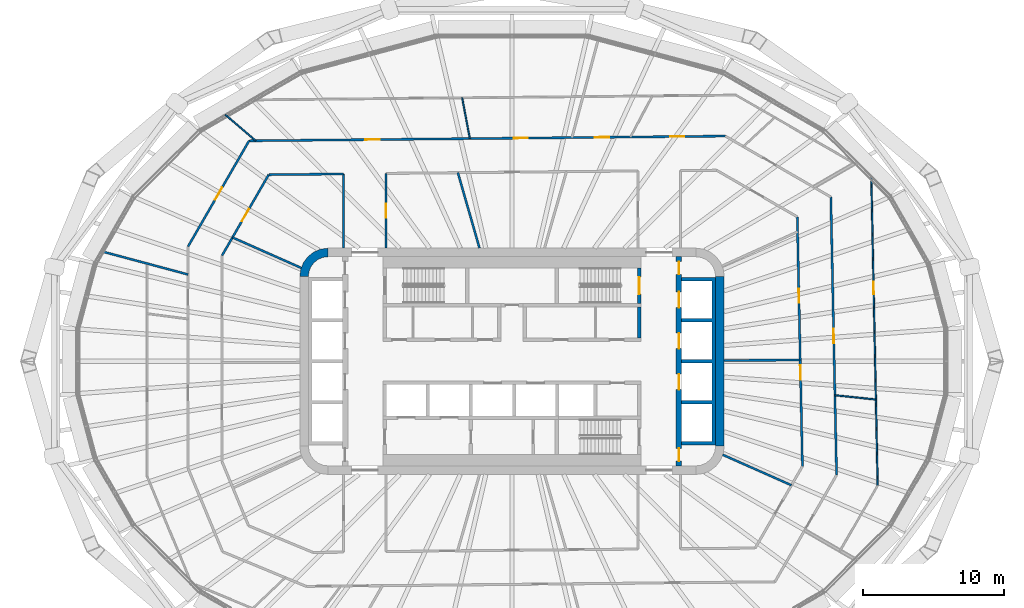
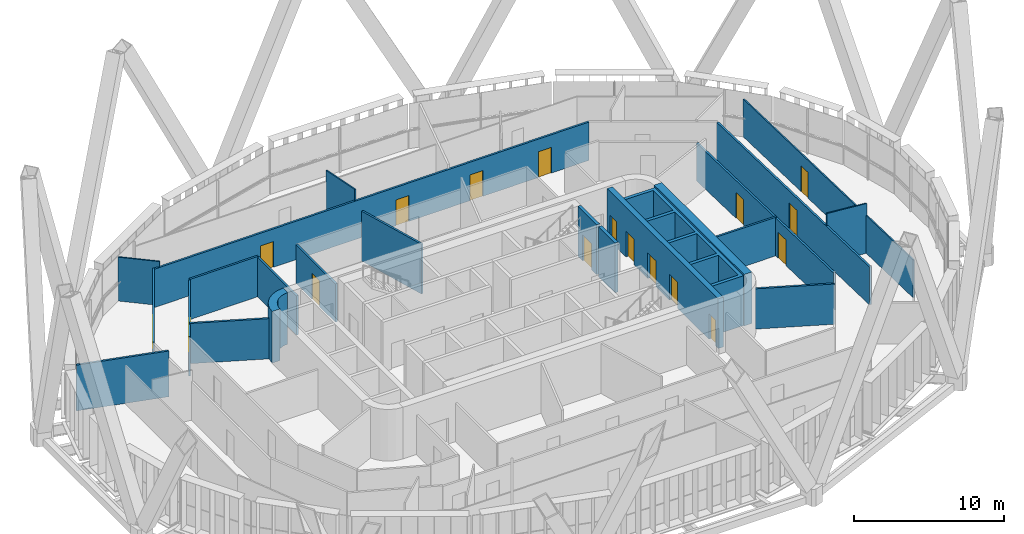
# One storey, part 16 of 25: 23 walls, 17 doors, 17 openings.
"""IFC4 building model written with IfcOpenShell, lengths in metres."""

from ifc_helpers import new_model, si_unit, direction, frame, frame_2d, origin, place, context, subcontext, project, spatial, polyline, rectangle, outline, extrude, material, layer, layer_set, type_object, element, fill, save


model = new_model("IFC4")

# Units and contexts
model_context = context("Model", 3, precision=1e-05, world=origin(), true_north=direction((0.0, 1.0)))
body_context = subcontext(model_context, "Body", "Model", "MODEL_VIEW")
ifc_project = project(units=[si_unit("LENGTHUNIT", "METRE"), si_unit("AREAUNIT", "SQUARE_METRE"), si_unit("VOLUMEUNIT", "CUBIC_METRE"), si_unit("PLANEANGLEUNIT", "RADIAN"), si_unit("MASSUNIT", "GRAM", prefix="KILO")], contexts=[model_context])

# Site, building, storey
site_placement = place(None, origin())
site = spatial("IfcSite", under=ifc_project, at=site_placement, CompositionType="ELEMENT")
building_placement = place(site_placement, origin())
building = spatial("IfcBuilding", under=site, at=building_placement, Name="Sahrelin Media Tower", CompositionType="ELEMENT")
storey_placement = place(building_placement, frame((0.0, 0.0, 63.0)))
storey = spatial("IfcBuildingStorey", under=building, at=storey_placement, Name="L10", CompositionType="ELEMENT", Elevation=63.0)

# Walls
ifc_material_1 = material(Name="Concrete C60/75", Category="concrete")
ifc_layer_1 = layer(ifc_material_1, 0.60009765625)
ifc_layer_set_1 = layer_set([ifc_layer_1], Name="Core wall 600")
wall_type_1 = type_object("IfcWallType", Name="Core wall 600", PredefinedType="SHEAR", material=ifc_layer_set_1)
wall_1_placement = place(storey_placement, frame((14.699951171875, -6.0, 0.0), z_axis=(0.0, 0.0, 1.0), x_axis=(0.0, 1.0, 0.0)))
element("IfcWall", 1, at=wall_1_placement, inside=storey, type_object=wall_type_1, Name="Core wall E L10", PredefinedType="SHEAR", context=body_context, shape_type="SweptSolid", body=[
    extrude(rectangle(XDim=12.0, YDim=0.60009765625, at=frame_2d((6.0, 0.0))), origin(), (0.0, 0.0, 1.0), 4.199951171875),
])
placement = place(storey_placement, origin())
element("IfcWall", 2, at=placement, inside=storey, type_object=wall_type_1, Name="Core wall corner NW L10", PredefinedType="SHEAR", context=body_context, shape_type="SweptSolid", body=[
    extrude(outline(polyline([(-15.0, 6.0), (-14.394775390625, 6.0), (-14.347412109375, 6.361083984375), (-14.2080078125, 6.697509765625), (-13.986328125, 6.986328125), (-13.697509765625, 7.2080078125), (-13.361083984375, 7.347412109375), (-13.0, 7.394775390625), (-13.0, 8.0), (-13.517578125, 7.931884765625), (-14.0, 7.732177734375), (-14.414306640625, 7.414306640625), (-14.732177734375, 7.0), (-14.931884765625, 6.517578125), (-15.0, 6.0)])), origin(), (0.0, 0.0, 1.0), 4.199951171875),
])
ifc_material_2 = material(Name="Fire-rated gypsum board partition")
ifc_layer_2 = layer(ifc_material_2, 0.25)
ifc_layer_set_2 = layer_set([ifc_layer_2], Name="Fire-rated lobby wall 250")
wall_type_2 = type_object("IfcWallType", Name="Fire-rated lobby wall 250", PredefinedType="PARTITIONING", material=ifc_layer_set_2)
wall_3_placement = place(storey_placement, frame((9.0, 1.64990234375, 0.0), z_axis=(0.0, 0.0, 1.0), x_axis=(0.0, 1.0, 0.0)))
element("IfcWall", 3, at=wall_3_placement, inside=storey, type_object=wall_type_2, Name="Core lobby wall", PredefinedType="PARTITIONING", context=body_context, shape_type="SweptSolid", body=[
    extrude(rectangle(XDim=2.2001953125, YDim=0.25, at=frame_2d((1.10009765625, 0.0))), origin(), (0.0, 0.0, 1.0), 4.050048828125),
])

# Wall, openings, doors
ifc_layer_3 = layer(ifc_material_2, 0.14990234375)
ifc_layer_set_3 = layer_set([ifc_layer_3], Name="Fire-rated partition 150")
wall_type_3 = type_object("IfcWallType", Name="Fire-rated partition 150", PredefinedType="PARTITIONING", material=ifc_layer_set_3)
wall_4_placement = place(storey_placement, frame((20.1669921875, 10.212890625, 0.0), z_axis=(0.0, 0.0, 1.0), x_axis=(0.020624730832, -0.999787287616, 0.0)))
wall_4 = element("IfcWall", 4, at=wall_4_placement, inside=storey, type_object=wall_type_3, Name="Wall", PredefinedType="PARTITIONING", context=body_context, shape_type="SweptSolid", body=[
    extrude(rectangle(XDim=17.637451171875, YDim=0.14990234375, at=frame_2d((8.81884765625, 0.0))), origin(), (0.0, 0.0, 1.0), 3.076904296875),
])
opening_1_placement = place(wall_4_placement, frame((10.507568359375, 0.0, 0.0)))
opening_1 = element("IfcOpeningElement", 5, at=opening_1_placement, cuts=wall_4, Name="Opening L10-D26", PredefinedType="OPENING", context=body_context, shape_type="SweptSolid", body=[
    extrude(rectangle(XDim=1.0, YDim=2.10009765625, at=frame_2d((0.5, 1.050048828125))), frame((0.0, 0.074951171875, 0.0), z_axis=(0.0, -1.0, 0.0), x_axis=(1.0, 0.0, 0.0)), (0.0, 0.0, 1.0), 0.14990234375),
])
opening_2_placement = place(wall_4_placement, frame((5.089111328125, 0.0, 0.0)))
opening_2 = element("IfcOpeningElement", 6, at=opening_2_placement, cuts=wall_4, Name="Opening L10-D27", PredefinedType="OPENING", context=body_context, shape_type="SweptSolid", body=[
    extrude(rectangle(XDim=1.0, YDim=2.10009765625, at=frame_2d((0.5, 1.050048828125))), frame((0.0, 0.074951171875, 0.0), z_axis=(0.0, -1.0, 0.0), x_axis=(1.0, 0.0, 0.0)), (0.0, 0.0, 1.0), 0.14990234375),
])
ifc_material_3 = material(Name="Steel fire door leaf", Category="steel")
door_type_1 = type_object("IfcDoorType", Name="Fire door 1000 x 2100 EI 60", OperationType="NOTDEFINED", PredefinedType="DOOR", material=ifc_material_3)
door_1_placement = place(opening_1_placement, origin())
door_1 = element("IfcDoor", 7, at=door_1_placement, inside=storey, type_object=door_type_1, Name="Fire door", OperationType="SINGLE_SWING_RIGHT", OverallHeight=2.10009765625, OverallWidth=1.0, PredefinedType="DOOR", context=body_context, shape_type="SweptSolid", body=[
    extrude(rectangle(XDim=1.0, YDim=2.10009765625, at=frame_2d((0.5, 1.050048828125))), frame((0.0, 0.02490234375, 0.0), z_axis=(0.0, -1.0, 0.0), x_axis=(1.0, 0.0, 0.0)), (0.0, 0.0, 1.0), 0.050048828125),
])
fill(opening_1, door_1)
door_2_placement = place(opening_2_placement, origin())
door_2 = element("IfcDoor", 8, at=door_2_placement, inside=storey, type_object=door_type_1, Name="Fire door", OperationType="SINGLE_SWING_LEFT", OverallHeight=2.10009765625, OverallWidth=1.0, PredefinedType="DOOR", context=body_context, shape_type="SweptSolid", body=[
    extrude(rectangle(XDim=1.0, YDim=2.10009765625, at=frame_2d((0.5, 1.050048828125))), frame((0.0, 0.02490234375, 0.0), z_axis=(0.0, -1.0, 0.0), x_axis=(1.0, 0.0, 0.0)), (0.0, 0.0, 1.0), 0.050048828125),
])
fill(opening_2, door_2)

# Wall, opening, door
wall_5_placement = place(storey_placement, frame((22.5390625, 11.614990234375, 0.0), z_axis=(0.0, 0.0, 1.0), x_axis=(0.020626332176, -0.99978725458, 0.0)))
wall_5 = element("IfcWall", 9, at=wall_5_placement, inside=storey, type_object=wall_type_3, Name="Wall", PredefinedType="PARTITIONING", context=body_context, shape_type="SweptSolid", body=[
    extrude(rectangle(XDim=19.66015625, YDim=0.14990234375, at=frame_2d((9.830078125, 0.0))), origin(), (0.0, 0.0, 1.0), 3.076904296875),
])
opening_3_placement = place(wall_5_placement, frame((9.329833984375, 0.0, 0.0)))
opening_3 = element("IfcOpeningElement", 10, at=opening_3_placement, cuts=wall_5, Name="Opening L10-D50", PredefinedType="OPENING", context=body_context, shape_type="SweptSolid", body=[
    extrude(rectangle(XDim=1.0, YDim=2.10009765625, at=frame_2d((0.5, 1.050048828125))), frame((0.0, 0.074951171875, 0.0), z_axis=(0.0, -1.0, 0.0), x_axis=(1.0, 0.0, 0.0)), (0.0, 0.0, 1.0), 0.14990234375),
])
door_3_placement = place(opening_3_placement, origin())
door_3 = element("IfcDoor", 11, at=door_3_placement, inside=storey, type_object=door_type_1, Name="Fire door", OperationType="SINGLE_SWING_LEFT", OverallHeight=2.10009765625, OverallWidth=1.0, PredefinedType="DOOR", context=body_context, shape_type="SweptSolid", body=[
    extrude(rectangle(XDim=1.0, YDim=2.10009765625, at=frame_2d((0.5, 1.050048828125))), frame((0.0, 0.02490234375, 0.0), z_axis=(0.0, -1.0, 0.0), x_axis=(1.0, 0.0, 0.0)), (0.0, 0.0, 1.0), 0.050048828125),
])
fill(opening_3, door_3)

# Walls
wall_6_placement = place(storey_placement, frame((-3.826904296875, 13.3330078125, 0.0), z_axis=(0.0, 0.0, 1.0), x_axis=(0.275935525478, -0.961176147113, 0.0)))
element("IfcWall", 12, at=wall_6_placement, inside=storey, type_object=wall_type_3, Name="Wall", PredefinedType="PARTITIONING", context=body_context, shape_type="SweptSolid", body=[
    extrude(rectangle(XDim=5.54833984375, YDim=0.14990234375, at=frame_2d((2.774169921875, 0.0))), origin(), (0.0, 0.0, 1.0), 4.050048828125),
])
wall_7_placement = place(storey_placement, frame((-19.760009765625, 8.7548828125, 0.0), z_axis=(0.0, 0.0, 1.0), x_axis=(0.91424834547, -0.405154245695, 0.0)))
element("IfcWall", 13, at=wall_7_placement, inside=storey, type_object=wall_type_3, Name="Wall", PredefinedType="PARTITIONING", context=body_context, shape_type="SweptSolid", body=[
    extrude(rectangle(XDim=5.31787109375, YDim=0.14990234375, at=frame_2d((2.658935546875, 0.0))), origin(), (0.0, 0.0, 1.0), 3.27587890625),
])
wall_8_placement = place(storey_placement, frame((14.89501953125, -6.60693359375, 0.0), z_axis=(0.0, 0.0, 1.0), x_axis=(0.914233271379, -0.405188259337, 0.0)))
element("IfcWall", 14, at=wall_8_placement, inside=storey, type_object=wall_type_3, Name="Wall", PredefinedType="PARTITIONING", context=body_context, shape_type="SweptSolid", body=[
    extrude(rectangle(XDim=5.3173828125, YDim=0.14990234375, at=frame_2d((2.65869140625, 0.0))), origin(), (0.0, 0.0, 1.0), 3.27587890625),
])
wall_9_placement = place(storey_placement, frame((-29.054931640625, 7.784912109375, 0.0), z_axis=(0.0, 0.0, 1.0), x_axis=(0.965937962099, -0.258773749396, 0.0)))
element("IfcWall", 15, at=wall_9_placement, inside=storey, type_object=wall_type_3, Name="Wall", PredefinedType="PARTITIONING", context=body_context, shape_type="SweptSolid", body=[
    extrude(rectangle(XDim=6.3720703125, YDim=0.14990234375, at=frame_2d((3.18603515625, 0.0))), origin(), (0.0, 0.0, 1.0), 3.7265625),
])
wall_10_placement = place(storey_placement, frame((15.0, 0.06298828125, 0.0), z_axis=(0.0, 0.0, 1.0), x_axis=(0.999990294223, 0.004405843865, 0.0)))
element("IfcWall", 16, at=wall_10_placement, inside=storey, type_object=wall_type_3, Name="Wall", PredefinedType="PARTITIONING", context=body_context, shape_type="SweptSolid", body=[
    extrude(rectangle(XDim=5.375, YDim=0.14990234375, at=frame_2d((2.6875, 0.0))), origin(), (0.0, 0.0, 1.0), 3.14501953125),
])
wall_11_placement = place(storey_placement, frame((-17.194091796875, 13.19091796875, 0.0), z_axis=(0.0, 0.0, 1.0), x_axis=(0.999950394899, 0.009960308291, 0.0)))
element("IfcWall", 17, at=wall_11_placement, inside=storey, type_object=wall_type_3, Name="Wall", PredefinedType="PARTITIONING", context=body_context, shape_type="SweptSolid", body=[
    extrude(rectangle(XDim=5.29443359375, YDim=0.14990234375, at=frame_2d((2.647216796875, 0.0))), origin(), (0.0, 0.0, 1.0), 3.27587890625),
])

# Wall, openings, doors
wall_12_placement = place(storey_placement, frame((-18.5869140625, 15.5869140625, 0.0), z_axis=(0.0, 0.0, 1.0), x_axis=(0.99995065417, 0.009934245078, 0.0)))
wall_12 = element("IfcWall", 18, at=wall_12_placement, inside=storey, type_object=wall_type_3, Name="Wall", PredefinedType="PARTITIONING", context=body_context, shape_type="SweptSolid", body=[
    extrude(rectangle(XDim=33.668701171875, YDim=0.14990234375, at=frame_2d((16.83447265625, 0.0))), origin(), (0.0, 0.0, 1.0), 3.126953125),
])
opening_4_placement = place(wall_12_placement, frame((18.7158203125, 0.0, 0.0)))
opening_4 = element("IfcOpeningElement", 19, at=opening_4_placement, cuts=wall_12, Name="Opening L10-D36", PredefinedType="OPENING", context=body_context, shape_type="SweptSolid", body=[
    extrude(rectangle(XDim=1.0, YDim=2.10009765625, at=frame_2d((0.5, 1.050048828125))), frame((0.0, 0.074951171875, 0.0), z_axis=(0.0, -1.0, 0.0), x_axis=(1.0, 0.0, 0.0)), (0.0, 0.0, 1.0), 0.14990234375),
])
opening_5_placement = place(wall_12_placement, frame((8.22802734375, 0.0, 0.0)))
opening_5 = element("IfcOpeningElement", 20, at=opening_5_placement, cuts=wall_12, Name="Opening L10-D37", PredefinedType="OPENING", context=body_context, shape_type="SweptSolid", body=[
    extrude(rectangle(XDim=1.0, YDim=2.10009765625, at=frame_2d((0.5, 1.050048828125))), frame((0.0, 0.074951171875, 0.0), z_axis=(0.0, -1.0, 0.0), x_axis=(1.0, 0.0, 0.0)), (0.0, 0.0, 1.0), 0.14990234375),
])
opening_6_placement = place(wall_12_placement, frame((29.767822265625, 0.0, 0.0)))
opening_6 = element("IfcOpeningElement", 21, at=opening_6_placement, cuts=wall_12, Name="Opening L10-D53", PredefinedType="OPENING", context=body_context, shape_type="SweptSolid", body=[
    extrude(rectangle(XDim=1.0, YDim=2.10009765625, at=frame_2d((0.5, 1.050048828125))), frame((0.0, 0.074951171875, 0.0), z_axis=(0.0, -1.0, 0.0), x_axis=(1.0, 0.0, 0.0)), (0.0, 0.0, 1.0), 0.14990234375),
])
opening_7_placement = place(wall_12_placement, frame((24.44873046875, 0.0, 0.0)))
opening_7 = element("IfcOpeningElement", 22, at=opening_7_placement, cuts=wall_12, Name="Opening L10-D54", PredefinedType="OPENING", context=body_context, shape_type="SweptSolid", body=[
    extrude(rectangle(XDim=1.0, YDim=2.10009765625, at=frame_2d((0.5, 1.050048828125))), frame((0.0, 0.074951171875, 0.0), z_axis=(0.0, -1.0, 0.0), x_axis=(1.0, 0.0, 0.0)), (0.0, 0.0, 1.0), 0.14990234375),
])
door_4_placement = place(opening_4_placement, origin())
door_4 = element("IfcDoor", 23, at=door_4_placement, inside=storey, type_object=door_type_1, Name="Fire door", OperationType="SINGLE_SWING_RIGHT", OverallHeight=2.10009765625, OverallWidth=1.0, PredefinedType="DOOR", context=body_context, shape_type="SweptSolid", body=[
    extrude(rectangle(XDim=1.0, YDim=2.10009765625, at=frame_2d((0.5, 1.050048828125))), frame((0.0, 0.02490234375, 0.0), z_axis=(0.0, -1.0, 0.0), x_axis=(1.0, 0.0, 0.0)), (0.0, 0.0, 1.0), 0.050048828125),
])
fill(opening_4, door_4)
door_5_placement = place(opening_5_placement, origin())
door_5 = element("IfcDoor", 24, at=door_5_placement, inside=storey, type_object=door_type_1, Name="Fire door", OperationType="SINGLE_SWING_RIGHT", OverallHeight=2.10009765625, OverallWidth=1.0, PredefinedType="DOOR", context=body_context, shape_type="SweptSolid", body=[
    extrude(rectangle(XDim=1.0, YDim=2.10009765625, at=frame_2d((0.5, 1.050048828125))), frame((0.0, 0.02490234375, 0.0), z_axis=(0.0, -1.0, 0.0), x_axis=(1.0, 0.0, 0.0)), (0.0, 0.0, 1.0), 0.050048828125),
])
fill(opening_5, door_5)
door_6_placement = place(opening_6_placement, origin())
door_6 = element("IfcDoor", 25, at=door_6_placement, inside=storey, type_object=door_type_1, Name="Fire door", OperationType="SINGLE_SWING_LEFT", OverallHeight=2.10009765625, OverallWidth=1.0, PredefinedType="DOOR", context=body_context, shape_type="SweptSolid", body=[
    extrude(rectangle(XDim=1.0, YDim=2.10009765625, at=frame_2d((0.5, 1.050048828125))), frame((0.0, 0.02490234375, 0.0), z_axis=(0.0, -1.0, 0.0), x_axis=(1.0, 0.0, 0.0)), (0.0, 0.0, 1.0), 0.050048828125),
])
fill(opening_6, door_6)
door_7_placement = place(opening_7_placement, origin())
door_7 = element("IfcDoor", 26, at=door_7_placement, inside=storey, type_object=door_type_1, Name="Fire door", OperationType="SINGLE_SWING_RIGHT", OverallHeight=2.10009765625, OverallWidth=1.0, PredefinedType="DOOR", context=body_context, shape_type="SweptSolid", body=[
    extrude(rectangle(XDim=1.0, YDim=2.10009765625, at=frame_2d((0.5, 1.050048828125))), frame((0.0, 0.02490234375, 0.0), z_axis=(0.0, -1.0, 0.0), x_axis=(1.0, 0.0, 0.0)), (0.0, 0.0, 1.0), 0.050048828125),
])
fill(opening_7, door_7)

# Wall, opening, door
wall_13_placement = place(storey_placement, frame((-20.5, 7.47412109375, 0.0), z_axis=(0.0, 0.0, 1.0), x_axis=(0.500012665616, 0.866018091164, 0.0)))
wall_13 = element("IfcWall", 27, at=wall_13_placement, inside=storey, type_object=wall_type_3, Name="Wall", PredefinedType="PARTITIONING", context=body_context, shape_type="SweptSolid", body=[
    extrude(rectangle(XDim=6.602294921875, YDim=0.14990234375, at=frame_2d((3.30126953125, 0.0))), origin(), (0.0, 0.0, 1.0), 3.195068359375),
])
opening_8_placement = place(wall_13_placement, frame((2.802734375, 0.0, 0.0)))
opening_8 = element("IfcOpeningElement", 28, at=opening_8_placement, cuts=wall_13, Name="Opening L10-D32", PredefinedType="OPENING", context=body_context, shape_type="SweptSolid", body=[
    extrude(rectangle(XDim=1.0, YDim=2.10009765625, at=frame_2d((0.5, 1.050048828125))), frame((0.0, 0.074951171875, 0.0), z_axis=(0.0, -1.0, 0.0), x_axis=(1.0, 0.0, 0.0)), (0.0, 0.0, 1.0), 0.14990234375),
])
door_8_placement = place(opening_8_placement, origin())
door_8 = element("IfcDoor", 29, at=door_8_placement, inside=storey, type_object=door_type_1, Name="Fire door", OperationType="SINGLE_SWING_LEFT", OverallHeight=2.10009765625, OverallWidth=1.0, PredefinedType="DOOR", context=body_context, shape_type="SweptSolid", body=[
    extrude(rectangle(XDim=1.0, YDim=2.10009765625, at=frame_2d((0.5, 1.050048828125))), frame((0.0, 0.02490234375, 0.0), z_axis=(0.0, -1.0, 0.0), x_axis=(1.0, 0.0, 0.0)), (0.0, 0.0, 1.0), 0.050048828125),
])
fill(opening_8, door_8)

wall_14_placement = place(storey_placement, frame((-22.89990234375, 8.116943359375, 0.0), z_axis=(0.0, 0.0, 1.0), x_axis=(0.499983791763, 0.866034761412, 0.0)))
wall_14 = element("IfcWall", 30, at=wall_14_placement, inside=storey, type_object=wall_type_3, Name="Wall", PredefinedType="PARTITIONING", context=body_context, shape_type="SweptSolid", body=[
    extrude(rectangle(XDim=8.625732421875, YDim=0.14990234375, at=frame_2d((4.31298828125, 0.0))), origin(), (0.0, 0.0, 1.0), 3.195068359375),
])
opening_9_placement = place(wall_14_placement, frame((3.812255859375, 0.0, 0.0)))
opening_9 = element("IfcOpeningElement", 31, at=opening_9_placement, cuts=wall_14, Name="Opening L10-D38", PredefinedType="OPENING", context=body_context, shape_type="SweptSolid", body=[
    extrude(rectangle(XDim=1.0, YDim=2.10009765625, at=frame_2d((0.5, 1.050048828125))), frame((0.0, 0.074951171875, 0.0), z_axis=(0.0, -1.0, 0.0), x_axis=(1.0, 0.0, 0.0)), (0.0, 0.0, 1.0), 0.14990234375),
])
door_9_placement = place(opening_9_placement, origin())
door_9 = element("IfcDoor", 32, at=door_9_placement, inside=storey, type_object=door_type_1, Name="Fire door", OperationType="SINGLE_SWING_RIGHT", OverallHeight=2.10009765625, OverallWidth=1.0, PredefinedType="DOOR", context=body_context, shape_type="SweptSolid", body=[
    extrude(rectangle(XDim=1.0, YDim=2.10009765625, at=frame_2d((0.5, 1.050048828125))), frame((0.0, 0.02490234375, 0.0), z_axis=(0.0, -1.0, 0.0), x_axis=(1.0, 0.0, 0.0)), (0.0, 0.0, 1.0), 0.050048828125),
])
fill(opening_9, door_9)

wall_15_placement = place(storey_placement, frame((-8.89990234375, 8.0, 0.0), z_axis=(0.0, 0.0, 1.0), x_axis=(0.0, 1.0, 0.0)))
wall_15 = element("IfcWall", 33, at=wall_15_placement, inside=storey, type_object=wall_type_3, Name="Wall", PredefinedType="PARTITIONING", context=body_context, shape_type="SweptSolid", body=[
    extrude(rectangle(XDim=5.282958984375, YDim=0.14990234375, at=frame_2d((2.6416015625, 0.0))), origin(), (0.0, 0.0, 1.0), 3.126953125),
])
opening_10_placement = place(wall_15_placement, frame((2.1416015625, 0.0, 0.0)))
opening_10 = element("IfcOpeningElement", 34, at=opening_10_placement, cuts=wall_15, Name="Opening L10-D31", PredefinedType="OPENING", context=body_context, shape_type="SweptSolid", body=[
    extrude(rectangle(XDim=1.0, YDim=2.10009765625, at=frame_2d((0.5, 1.050048828125))), frame((0.0, 0.074951171875, 0.0), z_axis=(0.0, -1.0, 0.0), x_axis=(1.0, 0.0, 0.0)), (0.0, 0.0, 1.0), 0.14990234375),
])
door_10_placement = place(opening_10_placement, origin())
door_10 = element("IfcDoor", 35, at=door_10_placement, inside=storey, type_object=door_type_1, Name="Fire door", OperationType="SINGLE_SWING_RIGHT", OverallHeight=2.10009765625, OverallWidth=1.0, PredefinedType="DOOR", context=body_context, shape_type="SweptSolid", body=[
    extrude(rectangle(XDim=1.0, YDim=2.10009765625, at=frame_2d((0.5, 1.050048828125))), frame((0.0, 0.02490234375, 0.0), z_axis=(0.0, -1.0, 0.0), x_axis=(1.0, 0.0, 0.0)), (0.0, 0.0, 1.0), 0.050048828125),
])
fill(opening_10, door_10)

# Walls
wall_16_placement = place(storey_placement, frame((-11.89990234375, 8.0, 0.0), z_axis=(0.0, 0.0, 1.0), x_axis=(0.0, 1.0, 0.0)))
element("IfcWall", 36, at=wall_16_placement, inside=storey, type_object=wall_type_3, Name="Wall", PredefinedType="PARTITIONING", context=body_context, shape_type="SweptSolid", body=[
    extrude(rectangle(XDim=5.242919921875, YDim=0.14990234375, at=frame_2d((2.62158203125, 0.0))), origin(), (0.0, 0.0, 1.0), 3.195068359375),
])
ifc_layer_4 = layer(ifc_material_1, 0.25)
ifc_layer_set_4 = layer_set([ifc_layer_4], Name="Lift shaft wall 250")
wall_type_4 = type_object("IfcWallType", Name="Lift shaft wall 250", PredefinedType="SOLIDWALL", material=ifc_layer_set_4)
element("IfcWall", 37, at=placement, inside=storey, type_object=wall_type_4, Name="Lift shaft wall", PredefinedType="SOLIDWALL", context=body_context, shape_type="SweptSolid", body=[
    extrude(outline(polyline([(12.0, -5.675048828125), (12.0, -5.925048828125), (14.14990234375, -5.925048828125), (14.39990234375, -5.925048828125), (14.39990234375, -5.675048828125), (14.39990234375, -3.02490234375), (14.39990234375, -2.77490234375), (14.39990234375, -0.125), (14.39990234375, 0.125), (14.39990234375, 2.77490234375), (14.39990234375, 3.02490234375), (14.39990234375, 5.675048828125), (14.39990234375, 5.925048828125), (14.14990234375, 5.925048828125), (12.0, 5.925048828125), (12.0, 5.675048828125), (14.14990234375, 5.675048828125), (14.14990234375, 3.02490234375), (12.0, 3.02490234375), (12.0, 2.77490234375), (14.14990234375, 2.77490234375), (14.14990234375, 0.125), (12.0, 0.125), (12.0, -0.125), (14.14990234375, -0.125), (14.14990234375, -2.77490234375), (12.0, -2.77490234375), (12.0, -3.02490234375), (14.14990234375, -3.02490234375), (14.14990234375, -5.675048828125), (12.0, -5.675048828125)])), origin(), (0.0, 0.0, 1.0), 4.050048828125),
])

# Wall, openings, doors
ifc_layer_5 = layer(ifc_material_1, 0.39990234375)
ifc_layer_set_5 = layer_set([ifc_layer_5], Name="Lift shaft wall 400")
wall_type_5 = type_object("IfcWallType", Name="Lift shaft wall 400", PredefinedType="SOLIDWALL", material=ifc_layer_set_5)
wall_18_placement = place(storey_placement, frame((11.800048828125, -7.39990234375, 0.0), z_axis=(0.0, 0.0, 1.0), x_axis=(0.0, 1.0, 0.0)))
wall_18 = element("IfcWall", 38, at=wall_18_placement, inside=storey, type_object=wall_type_5, Name="Lift shaft wall", PredefinedType="SOLIDWALL", context=body_context, shape_type="SweptSolid", body=[
    extrude(rectangle(XDim=14.7998046875, YDim=0.39990234375, at=frame_2d((7.39990234375, 0.0))), origin(), (0.0, 0.0, 1.0), 4.050048828125),
])
opening_11_placement = place(wall_18_placement, frame((11.199951171875, 0.0, 0.0)))
opening_11 = element("IfcOpeningElement", 39, at=opening_11_placement, cuts=wall_18, Name="Opening L10-LD-LR4", PredefinedType="OPENING", context=body_context, shape_type="SweptSolid", body=[
    extrude(rectangle(XDim=1.10009765625, YDim=2.10009765625, at=frame_2d((0.550048828125, 1.050048828125))), frame((0.0, 0.199951171875, 0.0), z_axis=(0.0, -1.0, 0.0), x_axis=(1.0, 0.0, 0.0)), (0.0, 0.0, 1.0), 0.39990234375),
])
opening_12_placement = place(wall_18_placement, frame((8.300048828125, 0.0, 0.0)))
opening_12 = element("IfcOpeningElement", 40, at=opening_12_placement, cuts=wall_18, Name="Opening L10-LD-LR5", PredefinedType="OPENING", context=body_context, shape_type="SweptSolid", body=[
    extrude(rectangle(XDim=1.10009765625, YDim=2.10009765625, at=frame_2d((0.550048828125, 1.050048828125))), frame((0.0, 0.199951171875, 0.0), z_axis=(0.0, -1.0, 0.0), x_axis=(1.0, 0.0, 0.0)), (0.0, 0.0, 1.0), 0.39990234375),
])
opening_13_placement = place(wall_18_placement, frame((5.39990234375, 0.0, 0.0)))
opening_13 = element("IfcOpeningElement", 41, at=opening_13_placement, cuts=wall_18, Name="Opening L10-LD-LR6", PredefinedType="OPENING", context=body_context, shape_type="SweptSolid", body=[
    extrude(rectangle(XDim=1.10009765625, YDim=2.10009765625, at=frame_2d((0.550048828125, 1.050048828125))), frame((0.0, 0.199951171875, 0.0), z_axis=(0.0, -1.0, 0.0), x_axis=(1.0, 0.0, 0.0)), (0.0, 0.0, 1.0), 0.39990234375),
])
opening_14_placement = place(wall_18_placement, frame((13.552490234375, 0.0, 0.0)))
opening_14 = element("IfcOpeningElement", 42, at=opening_14_placement, cuts=wall_18, Name="Opening L10-D16", PredefinedType="OPENING", context=body_context, shape_type="SweptSolid", body=[
    extrude(rectangle(XDim=0.89990234375, YDim=2.10009765625, at=frame_2d((0.449951171875, 1.050048828125))), frame((0.0, 0.199951171875, 0.0), z_axis=(0.0, -1.0, 0.0), x_axis=(1.0, 0.0, 0.0)), (0.0, 0.0, 1.0), 0.39990234375),
])
opening_15_placement = place(wall_18_placement, frame((0.347412109375, 0.0, 0.0)))
opening_15 = element("IfcOpeningElement", 43, at=opening_15_placement, cuts=wall_18, Name="Opening L10-D17", PredefinedType="OPENING", context=body_context, shape_type="SweptSolid", body=[
    extrude(rectangle(XDim=0.89990234375, YDim=2.10009765625, at=frame_2d((0.449951171875, 1.050048828125))), frame((0.0, 0.199951171875, 0.0), z_axis=(0.0, -1.0, 0.0), x_axis=(1.0, 0.0, 0.0)), (0.0, 0.0, 1.0), 0.39990234375),
])
ifc_material_4 = material(Name="Stainless steel", Category="steel")
door_type_2 = type_object("IfcDoorType", Name="Lift landing door 1100 x 2100 EI 120", OperationType="DOUBLE_DOOR_SLIDING", PredefinedType="DOOR", material=ifc_material_4)
door_11_placement = place(opening_11_placement, origin())
door_11 = element("IfcDoor", 44, at=door_11_placement, inside=storey, type_object=door_type_2, Name="Lift landing door LR4", OperationType="DOUBLE_DOOR_SLIDING", OverallHeight=2.10009765625, OverallWidth=1.10009765625, PredefinedType="DOOR", context=body_context, shape_type="SweptSolid", body=[
    extrude(rectangle(XDim=1.10009765625, YDim=2.10009765625, at=frame_2d((0.550048828125, 1.050048828125))), frame((0.0, 0.02490234375, 0.0), z_axis=(0.0, -1.0, 0.0), x_axis=(1.0, 0.0, 0.0)), (0.0, 0.0, 1.0), 0.050048828125),
])
fill(opening_11, door_11)
door_12_placement = place(opening_12_placement, origin())
door_12 = element("IfcDoor", 45, at=door_12_placement, inside=storey, type_object=door_type_2, Name="Lift landing door LR5", OperationType="DOUBLE_DOOR_SLIDING", OverallHeight=2.10009765625, OverallWidth=1.10009765625, PredefinedType="DOOR", context=body_context, shape_type="SweptSolid", body=[
    extrude(rectangle(XDim=1.10009765625, YDim=2.10009765625, at=frame_2d((0.550048828125, 1.050048828125))), frame((0.0, 0.02490234375, 0.0), z_axis=(0.0, -1.0, 0.0), x_axis=(1.0, 0.0, 0.0)), (0.0, 0.0, 1.0), 0.050048828125),
])
fill(opening_12, door_12)
door_13_placement = place(opening_13_placement, origin())
door_13 = element("IfcDoor", 46, at=door_13_placement, inside=storey, type_object=door_type_2, Name="Lift landing door LR6", OperationType="DOUBLE_DOOR_SLIDING", OverallHeight=2.10009765625, OverallWidth=1.10009765625, PredefinedType="DOOR", context=body_context, shape_type="SweptSolid", body=[
    extrude(rectangle(XDim=1.10009765625, YDim=2.10009765625, at=frame_2d((0.550048828125, 1.050048828125))), frame((0.0, 0.02490234375, 0.0), z_axis=(0.0, -1.0, 0.0), x_axis=(1.0, 0.0, 0.0)), (0.0, 0.0, 1.0), 0.050048828125),
])
fill(opening_13, door_13)
door_type_3 = type_object("IfcDoorType", Name="Riser door 900 x 2100 EI 120", OperationType="NOTDEFINED", PredefinedType="DOOR", material=ifc_material_3)
door_14_placement = place(opening_14_placement, origin())
door_14 = element("IfcDoor", 47, at=door_14_placement, inside=storey, type_object=door_type_3, Name="Riser door", OperationType="SINGLE_SWING_RIGHT", OverallHeight=2.10009765625, OverallWidth=0.89990234375, PredefinedType="DOOR", context=body_context, shape_type="SweptSolid", body=[
    extrude(rectangle(XDim=0.89990234375, YDim=2.10009765625, at=frame_2d((0.449951171875, 1.050048828125))), frame((0.0, 0.02490234375, 0.0), z_axis=(0.0, -1.0, 0.0), x_axis=(1.0, 0.0, 0.0)), (0.0, 0.0, 1.0), 0.050048828125),
])
fill(opening_14, door_14)
door_15_placement = place(opening_15_placement, origin())
door_15 = element("IfcDoor", 48, at=door_15_placement, inside=storey, type_object=door_type_3, Name="Riser door", OperationType="SINGLE_SWING_RIGHT", OverallHeight=2.10009765625, OverallWidth=0.89990234375, PredefinedType="DOOR", context=body_context, shape_type="SweptSolid", body=[
    extrude(rectangle(XDim=0.89990234375, YDim=2.10009765625, at=frame_2d((0.449951171875, 1.050048828125))), frame((0.0, 0.02490234375, 0.0), z_axis=(0.0, -1.0, 0.0), x_axis=(1.0, 0.0, 0.0)), (0.0, 0.0, 1.0), 0.050048828125),
])
fill(opening_15, door_15)

# Wall, opening, door
ifc_material_5 = material(Name="Gypsum board partition")
ifc_layer_6 = layer(ifc_material_5, 0.10009765625)
ifc_layer_set_6 = layer_set([ifc_layer_6], Name="Partition 100")
wall_type_6 = type_object("IfcWallType", Name="Partition 100", PredefinedType="PARTITIONING", material=ifc_layer_set_6)
wall_19_placement = place(storey_placement, frame((25.39990234375, 13.0791015625, 0.0), z_axis=(0.0, 0.0, 1.0), x_axis=(0.020572190582, -0.999788370094, 0.0)))
wall_19 = element("IfcWall", 49, at=wall_19_placement, inside=storey, type_object=wall_type_6, Name="Wall", PredefinedType="PARTITIONING", context=body_context, shape_type="SweptSolid", body=[
    extrude(rectangle(XDim=21.871826171875, YDim=0.10009765625, at=frame_2d((10.93603515625, 0.0))), origin(), (0.0, 0.0, 1.0), 3.076904296875),
])
opening_16_placement = place(wall_19_placement, frame((7.443359375, 0.0, 0.0)))
opening_16 = element("IfcOpeningElement", 50, at=opening_16_placement, cuts=wall_19, Name="Opening L10-D51", PredefinedType="OPENING", context=body_context, shape_type="SweptSolid", body=[
    extrude(rectangle(XDim=0.89990234375, YDim=2.10009765625, at=frame_2d((0.449951171875, 1.050048828125))), frame((0.0, 0.050048828125, 0.0), z_axis=(0.0, -1.0, 0.0), x_axis=(1.0, 0.0, 0.0)), (0.0, 0.0, 1.0), 0.10009765625),
])
ifc_material_6 = material(Name="Timber door leaf", Category="wood")
door_type_4 = type_object("IfcDoorType", Name="Single door 900 x 2100", OperationType="NOTDEFINED", PredefinedType="DOOR", material=ifc_material_6)
door_16_placement = place(opening_16_placement, origin())
door_16 = element("IfcDoor", 51, at=door_16_placement, inside=storey, type_object=door_type_4, Name="Single door", OperationType="SINGLE_SWING_LEFT", OverallHeight=2.10009765625, OverallWidth=0.89990234375, PredefinedType="DOOR", context=body_context, shape_type="SweptSolid", body=[
    extrude(rectangle(XDim=0.89990234375, YDim=2.10009765625, at=frame_2d((0.449951171875, 1.050048828125))), frame((0.0, 0.02490234375, 0.0), z_axis=(0.0, -1.0, 0.0), x_axis=(1.0, 0.0, 0.0)), (0.0, 0.0, 1.0), 0.050048828125),
])
fill(opening_16, door_16)

# Walls
wall_20_placement = place(storey_placement, frame((-3.52392578125, 18.6259765625, 0.0), z_axis=(0.0, 0.0, 1.0), x_axis=(0.185980649988, -0.982553407113, 0.0)))
element("IfcWall", 52, at=wall_20_placement, inside=storey, type_object=wall_type_6, Name="Wall", PredefinedType="PARTITIONING", context=body_context, shape_type="SweptSolid", body=[
    extrude(rectangle(XDim=2.935302734375, YDim=0.10009765625, at=frame_2d((1.4677734375, 0.0))), origin(), (0.0, 0.0, 1.0), 4.050048828125),
])
wall_21_placement = place(storey_placement, frame((-20.259033203125, 17.43408203125, 0.0), z_axis=(0.0, 0.0, 1.0), x_axis=(0.758065533123, -0.65217838625, 0.0)))
element("IfcWall", 53, at=wall_21_placement, inside=storey, type_object=wall_type_6, Name="Wall", PredefinedType="PARTITIONING", context=body_context, shape_type="SweptSolid", body=[
    extrude(rectangle(XDim=2.824462890625, YDim=0.10009765625, at=frame_2d((1.412109375, 0.0))), origin(), (0.0, 0.0, 1.0), 3.572998046875),
])
wall_22_placement = place(storey_placement, frame((22.827880859375, -2.39892578125, 0.0), z_axis=(0.0, 0.0, 1.0), x_axis=(0.994541671448, -0.104340134908, 0.0)))
element("IfcWall", 54, at=wall_22_placement, inside=storey, type_object=wall_type_6, Name="Wall", PredefinedType="PARTITIONING", context=body_context, shape_type="SweptSolid", body=[
    extrude(rectangle(XDim=2.9130859375, YDim=0.10009765625, at=frame_2d((1.45654296875, 0.0))), origin(), (0.0, 0.0, 1.0), 4.050048828125),
])

# Wall, opening, door
ifc_layer_7 = layer(ifc_material_1, 0.25)
ifc_layer_set_7 = layer_set([ifc_layer_7], Name="Stair enclosure wall 250")
wall_type_7 = type_object("IfcWallType", Name="Stair enclosure wall 250", PredefinedType="SOLIDWALL", material=ifc_layer_set_7)
wall_23_placement = place(storey_placement, frame((9.0, 4.10009765625, 0.0), z_axis=(0.0, 0.0, 1.0), x_axis=(0.0, 1.0, 0.0)))
wall_23 = element("IfcWall", 55, at=wall_23_placement, inside=storey, type_object=wall_type_7, Name="Stair enclosure wall", PredefinedType="SOLIDWALL", context=body_context, shape_type="SweptSolid", body=[
    extrude(rectangle(XDim=2.5, YDim=0.25, at=frame_2d((1.25, 0.0))), origin(), (0.0, 0.0, 1.0), 4.050048828125),
])
opening_17_placement = place(wall_23_placement, frame((0.64990234375, 0.0, 0.0)))
opening_17 = element("IfcOpeningElement", 56, at=opening_17_placement, cuts=wall_23, Name="Opening L10-D02", PredefinedType="OPENING", context=body_context, shape_type="SweptSolid", body=[
    extrude(rectangle(XDim=1.199951171875, YDim=2.10009765625, at=frame_2d((0.60009765625, 1.050048828125))), frame((0.0, 0.125, 0.0), z_axis=(0.0, -1.0, 0.0), x_axis=(1.0, 0.0, 0.0)), (0.0, 0.0, 1.0), 0.25),
])
door_type_5 = type_object("IfcDoorType", Name="Stair door 1200 x 2100 EI 120", OperationType="NOTDEFINED", PredefinedType="DOOR", material=ifc_material_3)
door_17_placement = place(opening_17_placement, origin())
door_17 = element("IfcDoor", 57, at=door_17_placement, inside=storey, type_object=door_type_5, Name="Stair door ST3", OperationType="SINGLE_SWING_LEFT", OverallHeight=2.10009765625, OverallWidth=1.199951171875, PredefinedType="DOOR", context=body_context, shape_type="SweptSolid", body=[
    extrude(rectangle(XDim=1.199951171875, YDim=2.10009765625, at=frame_2d((0.60009765625, 1.050048828125))), frame((0.0, 0.02490234375, 0.0), z_axis=(0.0, -1.0, 0.0), x_axis=(1.0, 0.0, 0.0)), (0.0, 0.0, 1.0), 0.050048828125),
])
fill(opening_17, door_17)

save(model, "model.ifc")
